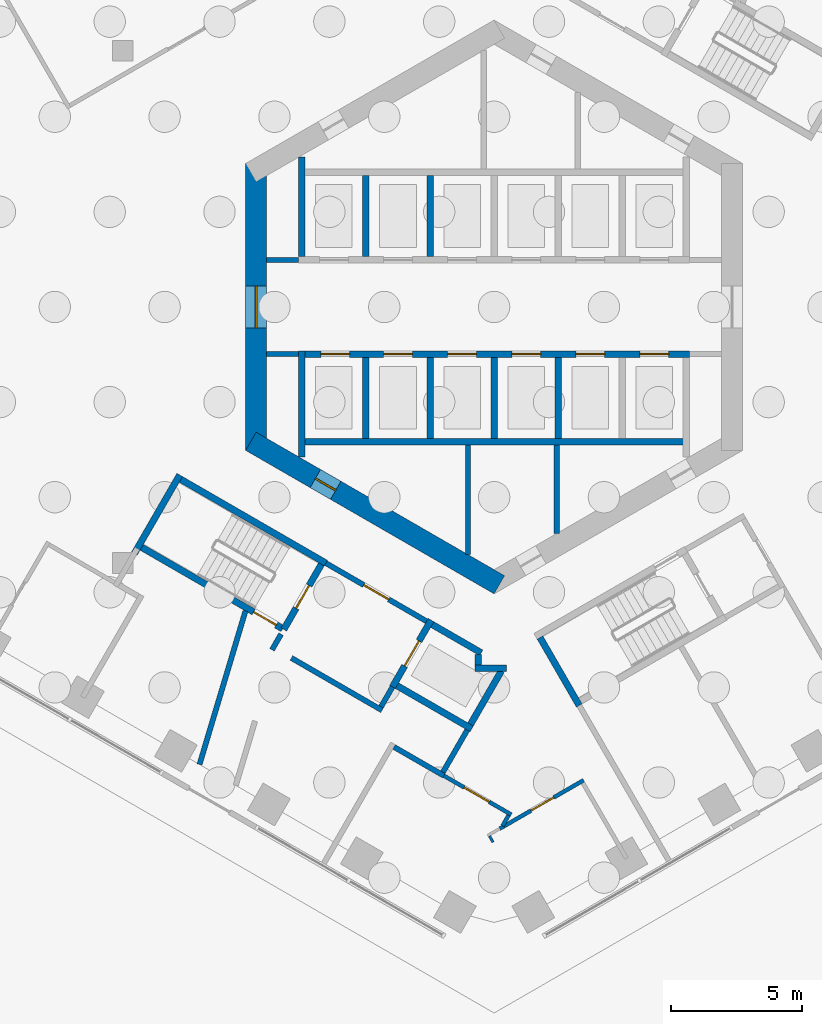
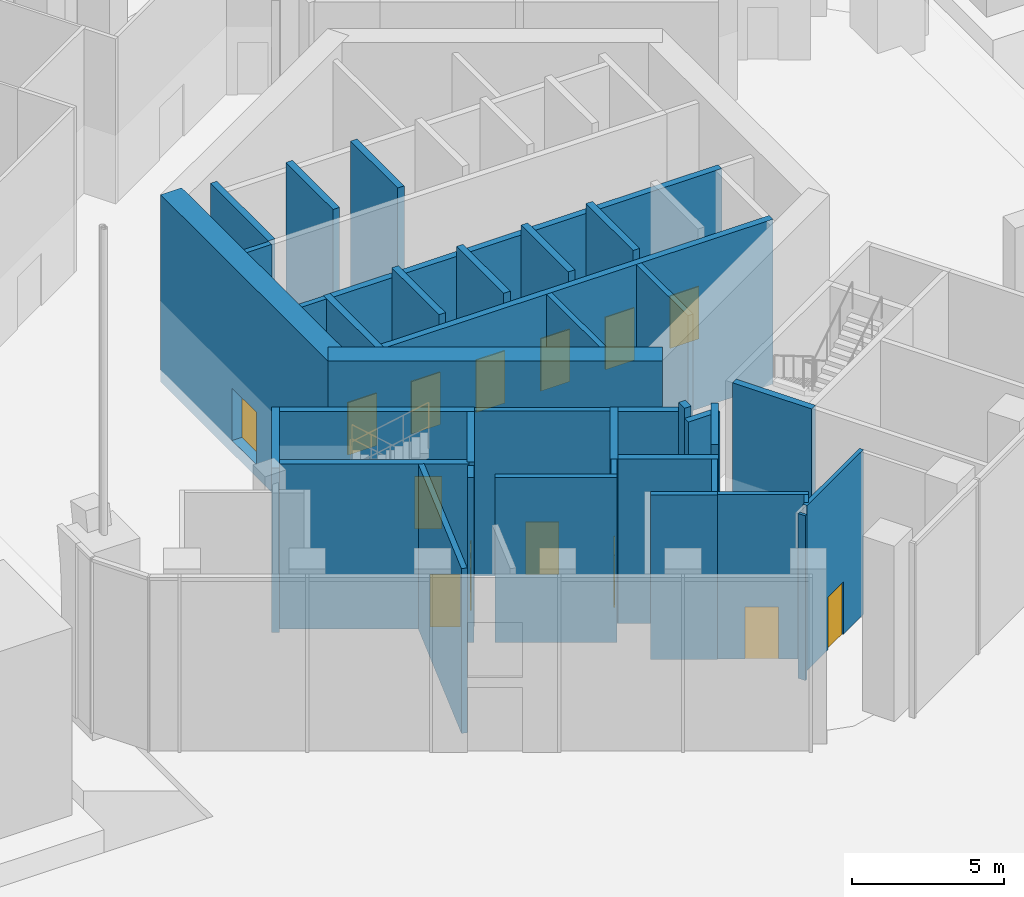
# One storey, part 9 of 18: 38 walls, 14 doors, 14 openings.
"""IFC4 building model written with IfcOpenShell, lengths in metres."""

from ifc_helpers import new_model, si_unit, direction, frame, frame_2d, origin, place, context, subcontext, project, spatial, rectangle, extrude, material, layer, layer_set, type_object, element, fill, save


model = new_model("IFC4")

# Units and contexts
model_context = context("Model", 3, precision=1e-05, world=origin(), true_north=direction((0.0, 1.0)))
body_context = subcontext(model_context, "Body", "Model", "MODEL_VIEW")
ifc_project = project(units=[si_unit("LENGTHUNIT", "METRE"), si_unit("AREAUNIT", "SQUARE_METRE"), si_unit("VOLUMEUNIT", "CUBIC_METRE"), si_unit("PLANEANGLEUNIT", "RADIAN"), si_unit("MASSUNIT", "GRAM", prefix="KILO")], contexts=[model_context])

# Site, building, storey
site_placement = place(None, origin())
site = spatial("IfcSite", under=ifc_project, at=site_placement, CompositionType="ELEMENT")
building_placement = place(site_placement, origin())
building = spatial("IfcBuilding", under=site, at=building_placement, Name="Ayvan Gate Tower", CompositionType="ELEMENT")
storey_placement = place(building_placement, origin())
storey = spatial("IfcBuildingStorey", under=building, at=storey_placement, Name="L00", CompositionType="ELEMENT", Elevation=0.0)

# Wall, opening, door
ifc_material_1 = material(Name="Concrete C70/85", Category="concrete")
ifc_layer_1 = layer(ifc_material_1, 0.800048828125)
ifc_layer_set_1 = layer_set([ifc_layer_1], Name="Concrete C70/85")
wall_type_1 = type_object("IfcWallType", Name="Core wall 800 C70/85", PredefinedType="SHEAR", material=ifc_layer_set_1)
wall_1_placement = place(storey_placement, frame((-9.10009765625, 5.48486328125, -0.5), z_axis=(0.0, 0.0, 1.0), x_axis=(0.0, -1.0, 0.0)))
wall_1 = element("IfcWall", 1, at=wall_1_placement, inside=storey, type_object=wall_type_1, Name="CORE-L00-3", PredefinedType="SHEAR", context=body_context, shape_type="SweptSolid", body=[
    extrude(rectangle(XDim=10.9697265625, YDim=0.800048828125, at=frame_2d((5.48486328125, 0.0))), origin(), (0.0, 0.0, 1.0), 7.5),
])
opening_1_placement = place(wall_1_placement, frame((4.684814453125, 0.0, 0.5)))
opening_1 = element("IfcOpeningElement", 2, at=opening_1_placement, cuts=wall_1, Name="Opening L00-D93", PredefinedType="OPENING", context=body_context, shape_type="SweptSolid", body=[
    extrude(rectangle(XDim=1.60009765625, YDim=2.10009765625, at=frame_2d((0.800048828125, 1.050048828125))), frame((0.0, 0.409912109375, 0.0), z_axis=(0.0, -1.0, 0.0), x_axis=(1.0, 0.0, 0.0)), (0.0, 0.0, 1.0), 0.820068359375),
])
ifc_material_2 = material(Name="Timber door leaf", Category="wood")
door_type_1 = type_object("IfcDoorType", Name="DT-1600", OperationType="NOTDEFINED", PredefinedType="DOOR", material=ifc_material_2)
door_1_placement = place(opening_1_placement, origin())
door_1 = element("IfcDoor", 3, at=door_1_placement, inside=storey, type_object=door_type_1, Name="CD-L00-93", OperationType="SINGLE_SWING_LEFT", OverallHeight=2.10009765625, OverallWidth=1.60009765625, PredefinedType="DOOR", context=body_context, shape_type="SweptSolid", body=[
    extrude(rectangle(XDim=1.60009765625, YDim=2.10009765625, at=frame_2d((0.800048828125, 1.050048828125))), frame((0.0, 0.02490234375, 0.0), z_axis=(0.0, -1.0, 0.0), x_axis=(1.0, 0.0, 0.0)), (0.0, 0.0, 1.0), 0.050048828125),
])
fill(opening_1, door_1)

wall_2_placement = place(storey_placement, frame((-9.300048828125, -5.138427734375, -0.5), z_axis=(0.0, 0.0, 1.0), x_axis=(0.866023993627, -0.500002442456, 0.0)))
wall_2 = element("IfcWall", 4, at=wall_2_placement, inside=storey, type_object=wall_type_1, Name="CORE-L00-4", PredefinedType="SHEAR", context=body_context, shape_type="SweptSolid", body=[
    extrude(rectangle(XDim=10.9697265625, YDim=0.800048828125, at=frame_2d((5.48486328125, 0.0))), origin(), (0.0, 0.0, 1.0), 7.5),
])
opening_2_placement = place(wall_2_placement, frame((2.845458984375, 0.0, 0.5)))
opening_2 = element("IfcOpeningElement", 5, at=opening_2_placement, cuts=wall_2, Name="Opening L00-D89", PredefinedType="OPENING", context=body_context, shape_type="SweptSolid", body=[
    extrude(rectangle(XDim=0.89990234375, YDim=2.10009765625, at=frame_2d((0.449951171875, 1.050048828125))), frame((0.0, 0.409912109375, 0.0), z_axis=(0.0, -1.0, 0.0), x_axis=(1.0, 0.0, 0.0)), (0.0, 0.0, 1.0), 0.820068359375),
])
door_type_2 = type_object("IfcDoorType", Name="DT-900", OperationType="NOTDEFINED", PredefinedType="DOOR", material=ifc_material_2)
door_2_placement = place(opening_2_placement, origin())
door_2 = element("IfcDoor", 6, at=door_2_placement, inside=storey, type_object=door_type_2, Name="CD-L00-89", OperationType="SINGLE_SWING_LEFT", OverallHeight=2.10009765625, OverallWidth=0.89990234375, PredefinedType="DOOR", context=body_context, shape_type="SweptSolid", body=[
    extrude(rectangle(XDim=0.89990234375, YDim=2.10009765625, at=frame_2d((0.449951171875, 1.050048828125))), frame((0.0, 0.02490234375, 0.0), z_axis=(0.0, -1.0, 0.0), x_axis=(1.0, 0.0, 0.0)), (0.0, 0.0, 1.0), 0.050048828125),
])
fill(opening_2, door_2)

ifc_material_3 = material(Name="Plasterboard on steel stud", Category="steel")
ifc_layer_2 = layer(ifc_material_3, 0.14990234375)
ifc_layer_set_2 = layer_set([ifc_layer_2], Name="Plasterboard on steel stud")
wall_type_2 = type_object("IfcWallType", Name="WT-CORR-150", PredefinedType="PARTITIONING", material=ifc_layer_set_2)
wall_3_placement = place(storey_placement, frame((-1.92041015625, -17.926025390625, 0.0), z_axis=(0.0, 0.0, 1.0), x_axis=(0.866017493347, -0.500013701029, 0.0)))
wall_3 = element("IfcWall", 7, at=wall_3_placement, inside=storey, type_object=wall_type_2, Name="IW-L00-038", PredefinedType="PARTITIONING", context=body_context, shape_type="SweptSolid", body=[
    extrude(rectangle(XDim=2.97509765625, YDim=0.14990234375, at=frame_2d((1.487548828125, 0.0))), origin(), (0.0, 0.0, 1.0), 6.60009765625),
])
opening_3_placement = place(wall_3_placement, frame((0.900146484375, 0.0, 0.0)))
opening_3 = element("IfcOpeningElement", 8, at=opening_3_placement, cuts=wall_3, Name="Opening L00-D32", PredefinedType="OPENING", context=body_context, shape_type="SweptSolid", body=[
    extrude(rectangle(XDim=1.10009765625, YDim=2.10009765625, at=frame_2d((0.550048828125, 1.050048828125))), frame((0.0, 0.0849609375, 0.0), z_axis=(0.0, -1.0, 0.0), x_axis=(1.0, 0.0, 0.0)), (0.0, 0.0, 1.0), 0.169921875),
])
door_type_3 = type_object("IfcDoorType", Name="DT-1100", OperationType="NOTDEFINED", PredefinedType="DOOR", material=ifc_material_2)
door_3_placement = place(opening_3_placement, origin())
door_3 = element("IfcDoor", 9, at=door_3_placement, inside=storey, type_object=door_type_3, Name="ID-L00-032", OperationType="SINGLE_SWING_RIGHT", OverallHeight=2.10009765625, OverallWidth=1.10009765625, PredefinedType="DOOR", context=body_context, shape_type="SweptSolid", body=[
    extrude(rectangle(XDim=1.10009765625, YDim=2.10009765625, at=frame_2d((0.550048828125, 1.050048828125))), frame((0.0, 0.02490234375, 0.0), z_axis=(0.0, -1.0, 0.0), x_axis=(1.0, 0.0, 0.0)), (0.0, 0.0, 1.0), 0.050048828125),
])
fill(opening_3, door_3)

wall_4_placement = place(storey_placement, frame((0.21728515625, -19.948486328125, 0.0), z_axis=(0.0, 0.0, 1.0), x_axis=(0.866033964044, 0.499985172903, 0.0)))
wall_4 = element("IfcWall", 10, at=wall_4_placement, inside=storey, type_object=wall_type_2, Name="IW-L00-053", PredefinedType="PARTITIONING", context=body_context, shape_type="SweptSolid", body=[
    extrude(rectangle(XDim=3.7001953125, YDim=0.14990234375, at=frame_2d((1.85009765625, 0.0))), origin(), (0.0, 0.0, 1.0), 6.60009765625),
])
opening_4_placement = place(wall_4_placement, frame((1.38037109375, 0.0, 0.0)))
opening_4 = element("IfcOpeningElement", 11, at=opening_4_placement, cuts=wall_4, Name="Opening L00-D30", PredefinedType="OPENING", context=body_context, shape_type="SweptSolid", body=[
    extrude(rectangle(XDim=1.0, YDim=2.10009765625, at=frame_2d((0.5, 1.050048828125))), frame((0.0, 0.0849609375, 0.0), z_axis=(0.0, -1.0, 0.0), x_axis=(1.0, 0.0, 0.0)), (0.0, 0.0, 1.0), 0.169921875),
])
door_type_4 = type_object("IfcDoorType", Name="DT-1000", OperationType="NOTDEFINED", PredefinedType="DOOR", material=ifc_material_2)
door_4_placement = place(opening_4_placement, origin())
door_4 = element("IfcDoor", 12, at=door_4_placement, inside=storey, type_object=door_type_4, Name="ID-L00-030", OperationType="SINGLE_SWING_RIGHT", OverallHeight=2.10009765625, OverallWidth=1.0, PredefinedType="DOOR", context=body_context, shape_type="SweptSolid", body=[
    extrude(rectangle(XDim=1.0, YDim=2.10009765625, at=frame_2d((0.5, 1.050048828125))), frame((0.0, 0.02490234375, 0.0), z_axis=(0.0, -1.0, 0.0), x_axis=(1.0, 0.0, 0.0)), (0.0, 0.0, 1.0), 0.050048828125),
])
fill(opening_4, door_4)

# Walls
wall_5_placement = place(storey_placement, frame((0.5537109375, -19.44091796875, 0.0), z_axis=(0.0, 0.0, 1.0), x_axis=(-0.499842898591, -0.866116087328, 0.0)))
element("IfcWall", 13, at=wall_5_placement, inside=storey, type_object=wall_type_2, Name="IW-L00-055", PredefinedType="PARTITIONING", context=body_context, shape_type="SweptSolid", body=[
    extrude(rectangle(XDim=0.468017578125, YDim=0.14990234375, at=frame_2d((0.23388671875, 0.0))), origin(), (0.0, 0.0, 1.0), 6.60009765625),
])
ifc_layer_3 = layer(ifc_material_3, 0.10009765625)
ifc_layer_set_3 = layer_set([ifc_layer_3], Name="Plasterboard on steel stud")
wall_type_3 = type_object("IfcWallType", Name="WT-PART-100", PredefinedType="PARTITIONING", material=ifc_layer_set_3)
wall_6_placement = place(storey_placement, frame((-0.039306640625, -20.468017578125, 0.0), z_axis=(0.0, 0.0, 1.0), x_axis=(-0.500007885066, 0.866020851292, 0.0)))
element("IfcWall", 14, at=wall_6_placement, inside=storey, type_object=wall_type_3, Name="IW-L00-048", PredefinedType="PARTITIONING", context=body_context, shape_type="SweptSolid", body=[
    extrude(rectangle(XDim=0.271484375, YDim=0.10009765625, at=frame_2d((0.1357421875, 0.0))), origin(), (0.0, 0.0, 1.0), 6.60009765625),
])
ifc_layer_4 = layer(ifc_material_3, 0.199951171875)
ifc_layer_set_4 = layer_set([ifc_layer_4], Name="Plasterboard on steel stud")
wall_type_4 = type_object("IfcWallType", Name="WT-PLUMB-200", PredefinedType="PLUMBINGWALL", material=ifc_layer_set_4)
wall_7_placement = place(storey_placement, frame((-9.507568359375, -11.625244140625, 0.0), z_axis=(0.0, 0.0, 1.0), x_axis=(-0.286880018175, -0.957966520904, 0.0)))
element("IfcWall", 15, at=wall_7_placement, inside=storey, type_object=wall_type_4, Name="IW-L00-011", PredefinedType="PLUMBINGWALL", context=body_context, shape_type="SweptSolid", body=[
    extrude(rectangle(XDim=6.128173828125, YDim=0.199951171875, at=frame_2d((3.06396484375, 0.0))), origin(), (0.0, 0.0, 1.0), 6.60009765625),
])
wall_8_placement = place(storey_placement, frame((-4.285888671875, -15.42333984375, 0.0), z_axis=(0.0, 0.0, 1.0), x_axis=(-0.866026010844, 0.49999894854, 0.0)))
element("IfcWall", 16, at=wall_8_placement, inside=storey, type_object=wall_type_4, Name="IW-L00-031", PredefinedType="PLUMBINGWALL", context=body_context, shape_type="SweptSolid", body=[
    extrude(rectangle(XDim=4.0, YDim=0.199951171875, at=frame_2d((2.0, 0.0))), origin(), (0.0, 0.0, 1.0), 6.60009765625),
])
wall_9_placement = place(storey_placement, frame((-3.885009765625, -14.52880859375, 0.0), z_axis=(0.0, 0.0, 1.0), x_axis=(-0.499859285417, -0.866106630146, 0.0)))
element("IfcWall", 17, at=wall_9_placement, inside=storey, type_object=wall_type_4, Name="IW-L00-033", PredefinedType="PLUMBINGWALL", context=body_context, shape_type="SweptSolid", body=[
    extrude(rectangle(XDim=0.875244140625, YDim=0.199951171875, at=frame_2d((0.4375, 0.0))), origin(), (0.0, 0.0, 1.0), 6.60009765625),
])
wall_10_placement = place(storey_placement, frame((-1.92041015625, -17.926025390625, 0.0), z_axis=(0.0, 0.0, 1.0), x_axis=(-0.86605622881, 0.499946605688, 0.0)))
element("IfcWall", 18, at=wall_10_placement, inside=storey, type_object=wall_type_4, Name="IW-L00-039", PredefinedType="PLUMBINGWALL", context=body_context, shape_type="SweptSolid", body=[
    extrude(rectangle(XDim=2.199951171875, YDim=0.199951171875, at=frame_2d((1.10009765625, 0.0))), origin(), (0.0, 0.0, 1.0), 6.60009765625),
])
wall_11_placement = place(storey_placement, frame((-1.027099609375, -16.178955078125, 0.0), z_axis=(0.0, 0.0, 1.0), x_axis=(-0.499923224849, -0.866069725401, 0.0)))
element("IfcWall", 19, at=wall_11_placement, inside=storey, type_object=wall_type_4, Name="IW-L00-042", PredefinedType="PLUMBINGWALL", context=body_context, shape_type="SweptSolid", body=[
    extrude(rectangle(XDim=1.859619140625, YDim=0.199951171875, at=frame_2d((0.9296875, 0.0))), origin(), (0.0, 0.0, 1.0), 6.60009765625),
])
ifc_layer_5 = layer(ifc_material_3, 0.199951171875)
ifc_layer_set_5 = layer_set([ifc_layer_5], Name="Plasterboard on steel stud")
wall_type_5 = type_object("IfcWallType", Name="WT-RATED-200", PredefinedType="PARTITIONING", material=ifc_layer_set_5)
wall_12_placement = place(storey_placement, frame((-8.699951171875, 1.800048828125, 0.0), z_axis=(0.0, 0.0, 1.0), x_axis=(1.0, 0.0, 0.0)))
element("IfcWall", 20, at=wall_12_placement, inside=storey, type_object=wall_type_5, Name="IW-L00-014", PredefinedType="PARTITIONING", context=body_context, shape_type="SweptSolid", body=[
    extrude(rectangle(XDim=1.22509765625, YDim=0.199951171875, at=frame_2d((0.612548828125, 0.0))), origin(), (0.0, 0.0, 1.0), 6.60009765625),
])
wall_13_placement = place(storey_placement, frame((-8.492919921875, -13.110107421875, 0.0), z_axis=(0.0, 0.0, 1.0), x_axis=(0.499947218231, 0.866055875208, 0.0)))
element("IfcWall", 21, at=wall_13_placement, inside=storey, type_object=wall_type_5, Name="IW-L00-015", PredefinedType="PARTITIONING", context=body_context, shape_type="SweptSolid", body=[
    extrude(rectangle(XDim=0.689453125, YDim=0.199951171875, at=frame_2d((0.3447265625, 0.0))), origin(), (0.0, 0.0, 1.0), 6.60009765625),
])
wall_14_placement = place(storey_placement, frame((-7.474853515625, -1.800048828125, 0.0), z_axis=(0.0, 0.0, 1.0), x_axis=(-1.0, 0.0, 0.0)))
element("IfcWall", 22, at=wall_14_placement, inside=storey, type_object=wall_type_5, Name="IW-L00-021", PredefinedType="PARTITIONING", context=body_context, shape_type="SweptSolid", body=[
    extrude(rectangle(XDim=1.22509765625, YDim=0.199951171875, at=frame_2d((0.612548828125, 0.0))), origin(), (0.0, 0.0, 1.0), 6.60009765625),
])

# Wall, opening, door
wall_15_placement = place(storey_placement, frame((-6.4345703125, -9.794921875, 0.0), z_axis=(0.0, 0.0, 1.0), x_axis=(0.866012907634, -0.500021643343, 0.0)))
wall_15 = element("IfcWall", 23, at=wall_15_placement, inside=storey, type_object=wall_type_5, Name="IW-L00-025", PredefinedType="PARTITIONING", context=body_context, shape_type="SweptSolid", body=[
    extrude(rectangle(XDim=4.449951171875, YDim=0.199951171875, at=frame_2d((2.22509765625, 0.0))), origin(), (0.0, 0.0, 1.0), 6.60009765625),
])
opening_5_placement = place(wall_15_placement, frame((1.675048828125, 0.0, 0.0)))
opening_5 = element("IfcOpeningElement", 24, at=opening_5_placement, cuts=wall_15, Name="Opening L00-D19", PredefinedType="OPENING", context=body_context, shape_type="SweptSolid", body=[
    extrude(rectangle(XDim=1.10009765625, YDim=2.10009765625, at=frame_2d((0.550048828125, 1.050048828125))), frame((0.0, 0.10986328125, 0.0), z_axis=(0.0, -1.0, 0.0), x_axis=(1.0, 0.0, 0.0)), (0.0, 0.0, 1.0), 0.219970703125),
])
door_5_placement = place(opening_5_placement, origin())
door_5 = element("IfcDoor", 25, at=door_5_placement, inside=storey, type_object=door_type_3, Name="ID-L00-019", OperationType="SINGLE_SWING_LEFT", OverallHeight=2.10009765625, OverallWidth=1.10009765625, PredefinedType="DOOR", context=body_context, shape_type="SweptSolid", body=[
    extrude(rectangle(XDim=1.10009765625, YDim=2.10009765625, at=frame_2d((0.550048828125, 1.050048828125))), frame((0.0, 0.02490234375, 0.0), z_axis=(0.0, -1.0, 0.0), x_axis=(1.0, 0.0, 0.0)), (0.0, 0.0, 1.0), 0.050048828125),
])
fill(opening_5, door_5)

# Walls
wall_16_placement = place(storey_placement, frame((-1.0, -5.27490234375, 0.0), z_axis=(0.0, 0.0, 1.0), x_axis=(0.0, -1.0, 0.0)))
element("IfcWall", 26, at=wall_16_placement, inside=storey, type_object=wall_type_5, Name="IW-L00-040", PredefinedType="PARTITIONING", context=body_context, shape_type="SweptSolid", body=[
    extrude(rectangle(XDim=4.193603515625, YDim=0.199951171875, at=frame_2d((2.0966796875, 0.0))), origin(), (0.0, 0.0, 1.0), 6.60009765625),
])
wall_17_placement = place(storey_placement, frame((2.39990234375, -5.27490234375, 0.0), z_axis=(0.0, 0.0, 1.0), x_axis=(0.0, -1.0, 0.0)))
element("IfcWall", 27, at=wall_17_placement, inside=storey, type_object=wall_type_5, Name="IW-L00-064", PredefinedType="PARTITIONING", context=body_context, shape_type="SweptSolid", body=[
    extrude(rectangle(XDim=3.385498046875, YDim=0.199951171875, at=frame_2d((1.69287109375, 0.0))), origin(), (0.0, 0.0, 1.0), 6.60009765625),
])
ifc_material_4 = material(Name="Concrete C50/60", Category="concrete")
ifc_layer_6 = layer(ifc_material_4, 0.25)
ifc_layer_set_6 = layer_set([ifc_layer_6], Name="Concrete C50/60")
wall_type_6 = type_object("IfcWallType", Name="WT-RC-250", PredefinedType="SHEAR", material=ifc_layer_set_6)
wall_18_placement = place(storey_placement, frame((-13.7548828125, -9.424072265625, 0.0), z_axis=(0.0, 0.0, 1.0), x_axis=(0.500005140434, 0.866022435933, 0.0)))
element("IfcWall", 28, at=wall_18_placement, inside=storey, type_object=wall_type_6, Name="IW-L00-005", PredefinedType="SHEAR", context=body_context, shape_type="SweptSolid", body=[
    extrude(rectangle(XDim=3.4638671875, YDim=0.25, at=frame_2d((1.73193359375, 0.0))), origin(), (0.0, 0.0, 1.0), 6.60009765625),
])
wall_19_placement = place(storey_placement, frame((-11.97705078125, -6.594970703125, 0.0), z_axis=(0.0, 0.0, 1.0), x_axis=(0.866025499775, -0.499999833739, 0.0)))
element("IfcWall", 29, at=wall_19_placement, inside=storey, type_object=wall_type_6, Name="IW-L00-007", PredefinedType="SHEAR", context=body_context, shape_type="SweptSolid", body=[
    extrude(rectangle(XDim=6.39990234375, YDim=0.25, at=frame_2d((3.199951171875, 0.0))), origin(), (0.0, 0.0, 1.0), 6.60009765625),
])

# Wall, opening, door
wall_20_placement = place(storey_placement, frame((-13.47705078125, -9.193115234375, 0.0), z_axis=(0.0, 0.0, 1.0), x_axis=(0.866026229868, -0.499998569178, 0.0)))
wall_20 = element("IfcWall", 30, at=wall_20_placement, inside=storey, type_object=wall_type_6, Name="IW-L00-012", PredefinedType="SHEAR", context=body_context, shape_type="SweptSolid", body=[
    extrude(rectangle(XDim=6.22509765625, YDim=0.25, at=frame_2d((3.112548828125, 0.0))), origin(), (0.0, 0.0, 1.0), 6.60009765625),
])
opening_6_placement = place(wall_20_placement, frame((4.9404296875, 0.0, 0.0)))
opening_6 = element("IfcOpeningElement", 31, at=opening_6_placement, cuts=wall_20, Name="Opening L00-D17", PredefinedType="OPENING", context=body_context, shape_type="SweptSolid", body=[
    extrude(rectangle(XDim=1.0, YDim=2.10009765625, at=frame_2d((0.5, 1.050048828125))), frame((0.0, 0.135009765625, 0.0), z_axis=(0.0, -1.0, 0.0), x_axis=(1.0, 0.0, 0.0)), (0.0, 0.0, 1.0), 0.27001953125),
])
door_6_placement = place(opening_6_placement, origin())
door_6 = element("IfcDoor", 32, at=door_6_placement, inside=storey, type_object=door_type_4, Name="ID-L00-017", OperationType="SINGLE_SWING_LEFT", OverallHeight=2.10009765625, OverallWidth=1.0, PredefinedType="DOOR", context=body_context, shape_type="SweptSolid", body=[
    extrude(rectangle(XDim=1.0, YDim=2.10009765625, at=frame_2d((0.5, 1.050048828125))), frame((0.0, 0.02490234375, 0.0), z_axis=(0.0, -1.0, 0.0), x_axis=(1.0, 0.0, 0.0)), (0.0, 0.0, 1.0), 0.050048828125),
])
fill(opening_6, door_6)

# Walls
wall_21_placement = place(storey_placement, frame((-7.35009765625, -5.730224609375, 0.0), z_axis=(0.0, 0.0, 1.0), x_axis=(0.0, 1.0, 0.0)))
element("IfcWall", 33, at=wall_21_placement, inside=storey, type_object=wall_type_6, Name="IW-L00-018", PredefinedType="SHEAR", context=body_context, shape_type="SweptSolid", body=[
    extrude(rectangle(XDim=4.05517578125, YDim=0.25, at=frame_2d((2.027587890625, 0.0))), origin(), (0.0, 0.0, 1.0), 6.60009765625),
])
wall_22_placement = place(storey_placement, frame((-7.35009765625, 1.925048828125, 0.0), z_axis=(0.0, 0.0, 1.0), x_axis=(0.0, 1.0, 0.0)))
element("IfcWall", 34, at=wall_22_placement, inside=storey, type_object=wall_type_6, Name="IW-L00-019", PredefinedType="SHEAR", context=body_context, shape_type="SweptSolid", body=[
    extrude(rectangle(XDim=3.80517578125, YDim=0.25, at=frame_2d((1.902587890625, 0.0))), origin(), (0.0, 0.0, 1.0), 6.60009765625),
])

# Wall, opening, door
wall_23_placement = place(storey_placement, frame((-6.605224609375, -9.8408203125, 0.0), z_axis=(0.0, 0.0, 1.0), x_axis=(-0.500011588718, -0.866018712932, 0.0)))
wall_23 = element("IfcWall", 35, at=wall_23_placement, inside=storey, type_object=wall_type_6, Name="IW-L00-024", PredefinedType="SHEAR", context=body_context, shape_type="SweptSolid", body=[
    extrude(rectangle(XDim=2.875, YDim=0.25, at=frame_2d((1.4375, 0.0))), origin(), (0.0, 0.0, 1.0), 6.60009765625),
])
opening_7_placement = place(wall_23_placement, frame((0.9375, 0.0, 0.0)))
opening_7 = element("IfcOpeningElement", 36, at=opening_7_placement, cuts=wall_23, Name="Opening L00-D18", PredefinedType="OPENING", context=body_context, shape_type="SweptSolid", body=[
    extrude(rectangle(XDim=1.0, YDim=2.10009765625, at=frame_2d((0.5, 1.050048828125))), frame((0.0, 0.135009765625, 0.0), z_axis=(0.0, -1.0, 0.0), x_axis=(1.0, 0.0, 0.0)), (0.0, 0.0, 1.0), 0.27001953125),
])
door_7_placement = place(opening_7_placement, origin())
door_7 = element("IfcDoor", 37, at=door_7_placement, inside=storey, type_object=door_type_4, Name="ID-L00-018", OperationType="SINGLE_SWING_RIGHT", OverallHeight=2.10009765625, OverallWidth=1.0, PredefinedType="DOOR", context=body_context, shape_type="SweptSolid", body=[
    extrude(rectangle(XDim=1.0, YDim=2.10009765625, at=frame_2d((0.5, 1.050048828125))), frame((0.0, 0.02490234375, 0.0), z_axis=(0.0, -1.0, 0.0), x_axis=(1.0, 0.0, 0.0)), (0.0, 0.0, 1.0), 0.050048828125),
])
fill(opening_7, door_7)

# Walls
wall_24_placement = place(storey_placement, frame((-7.22509765625, -5.14990234375, 0.0), z_axis=(0.0, 0.0, 1.0), x_axis=(1.0, 0.0, 0.0)))
element("IfcWall", 38, at=wall_24_placement, inside=storey, type_object=wall_type_6, Name="IW-L00-027", PredefinedType="SHEAR", context=body_context, shape_type="SweptSolid", body=[
    extrude(rectangle(XDim=14.7001953125, YDim=0.25, at=frame_2d((7.35009765625, 0.0))), origin(), (0.0, 0.0, 1.0), 6.60009765625),
])
for number, where, z_axis, x_axis, name in (
    (39, (-4.89990234375, -1.925048828125, 0.0), (0.0, 0.0, 1.0), (0.0, -1.0, 0.0), "IW-L00-028"),
    (40, (-4.89990234375, 5.02490234375, 0.0), (0.0, 0.0, 1.0), (0.0, -1.0, 0.0), "IW-L00-029"),
):
    element("IfcWall", number, at=place(storey_placement, frame(where, z_axis=z_axis, x_axis=x_axis)), inside=storey, type_object=wall_type_6, Name=name, PredefinedType="SHEAR", context=body_context, shape_type="SweptSolid", body=[
        extrude(rectangle(XDim=3.099853515625, YDim=0.25, at=frame_2d((1.5498046875, 0.0))), origin(), (0.0, 0.0, 1.0), 7.0),
    ])

# Wall, openings, doors
wall_25_placement = place(storey_placement, frame((-7.22509765625, -1.800048828125, 0.0), z_axis=(0.0, 0.0, 1.0), x_axis=(1.0, 0.0, 0.0)))
wall_25 = element("IfcWall", 41, at=wall_25_placement, inside=storey, type_object=wall_type_6, Name="IW-L00-030", PredefinedType="SHEAR", context=body_context, shape_type="SweptSolid", body=[
    extrude(rectangle(XDim=14.7001953125, YDim=0.25, at=frame_2d((7.35009765625, 0.0))), origin(), (0.0, 0.0, 1.0), 6.60009765625),
])
opening_8_placement = place(wall_25_placement, frame((0.597412109375, 0.0, 0.0)))
opening_8 = element("IfcOpeningElement", 42, at=opening_8_placement, cuts=wall_25, Name="Opening L00-LD-LR1", PredefinedType="OPENING", context=body_context, shape_type="SweptSolid", body=[
    extrude(rectangle(XDim=1.10009765625, YDim=2.10009765625, at=frame_2d((0.550048828125, 1.050048828125))), frame((0.0, 0.135009765625, 0.0), z_axis=(0.0, -1.0, 0.0), x_axis=(1.0, 0.0, 0.0)), (0.0, 0.0, 1.0), 0.27001953125),
])
opening_9_placement = place(wall_25_placement, frame((3.0, 0.0, 0.0)))
opening_9 = element("IfcOpeningElement", 43, at=opening_9_placement, cuts=wall_25, Name="Opening L00-LD-LR2", PredefinedType="OPENING", context=body_context, shape_type="SweptSolid", body=[
    extrude(rectangle(XDim=1.10009765625, YDim=2.10009765625, at=frame_2d((0.550048828125, 1.050048828125))), frame((0.0, 0.135009765625, 0.0), z_axis=(0.0, -1.0, 0.0), x_axis=(1.0, 0.0, 0.0)), (0.0, 0.0, 1.0), 0.27001953125),
])
opening_10_placement = place(wall_25_placement, frame((5.4501953125, 0.0, 0.0)))
opening_10 = element("IfcOpeningElement", 44, at=opening_10_placement, cuts=wall_25, Name="Opening L00-LD-LR3", PredefinedType="OPENING", context=body_context, shape_type="SweptSolid", body=[
    extrude(rectangle(XDim=1.10009765625, YDim=2.10009765625, at=frame_2d((0.550048828125, 1.050048828125))), frame((0.0, 0.135009765625, 0.0), z_axis=(0.0, -1.0, 0.0), x_axis=(1.0, 0.0, 0.0)), (0.0, 0.0, 1.0), 0.27001953125),
])
opening_11_placement = place(wall_25_placement, frame((7.900146484375, 0.0, 0.0)))
opening_11 = element("IfcOpeningElement", 45, at=opening_11_placement, cuts=wall_25, Name="Opening L00-LD-LR4", PredefinedType="OPENING", context=body_context, shape_type="SweptSolid", body=[
    extrude(rectangle(XDim=1.10009765625, YDim=2.10009765625, at=frame_2d((0.550048828125, 1.050048828125))), frame((0.0, 0.135009765625, 0.0), z_axis=(0.0, -1.0, 0.0), x_axis=(1.0, 0.0, 0.0)), (0.0, 0.0, 1.0), 0.27001953125),
])
opening_12_placement = place(wall_25_placement, frame((10.35009765625, 0.0, 0.0)))
opening_12 = element("IfcOpeningElement", 46, at=opening_12_placement, cuts=wall_25, Name="Opening L00-LD-SV", PredefinedType="OPENING", context=body_context, shape_type="SweptSolid", body=[
    extrude(rectangle(XDim=1.10009765625, YDim=2.10009765625, at=frame_2d((0.550048828125, 1.050048828125))), frame((0.0, 0.135009765625, 0.0), z_axis=(0.0, -1.0, 0.0), x_axis=(1.0, 0.0, 0.0)), (0.0, 0.0, 1.0), 0.27001953125),
])
opening_13_placement = place(wall_25_placement, frame((12.800048828125, 0.0, 0.0)))
opening_13 = element("IfcOpeningElement", 47, at=opening_13_placement, cuts=wall_25, Name="Opening L00-LD-OB", PredefinedType="OPENING", context=body_context, shape_type="SweptSolid", body=[
    extrude(rectangle(XDim=1.10009765625, YDim=2.10009765625, at=frame_2d((0.550048828125, 1.050048828125))), frame((0.0, 0.135009765625, 0.0), z_axis=(0.0, -1.0, 0.0), x_axis=(1.0, 0.0, 0.0)), (0.0, 0.0, 1.0), 0.27001953125),
])
ifc_material_5 = material(Name="Stainless steel landing door", Category="steel")
door_type_5 = type_object("IfcDoorType", Name="DT-LANDING-1100", OperationType="SLIDING_TO_LEFT", PredefinedType="DOOR", material=ifc_material_5)
door_8_placement = place(opening_8_placement, origin())
door_8 = element("IfcDoor", 48, at=door_8_placement, inside=storey, type_object=door_type_5, Name="ID-L00-007", OperationType="SLIDING_TO_LEFT", OverallHeight=2.10009765625, OverallWidth=1.10009765625, PredefinedType="DOOR", context=body_context, shape_type="SweptSolid", body=[
    extrude(rectangle(XDim=1.10009765625, YDim=2.10009765625, at=frame_2d((0.550048828125, 1.050048828125))), frame((0.0, 0.02490234375, 0.0), z_axis=(0.0, -1.0, 0.0), x_axis=(1.0, 0.0, 0.0)), (0.0, 0.0, 1.0), 0.050048828125),
])
fill(opening_8, door_8)
door_9_placement = place(opening_9_placement, origin())
door_9 = element("IfcDoor", 49, at=door_9_placement, inside=storey, type_object=door_type_5, Name="ID-L00-008", OperationType="SLIDING_TO_LEFT", OverallHeight=2.10009765625, OverallWidth=1.10009765625, PredefinedType="DOOR", context=body_context, shape_type="SweptSolid", body=[
    extrude(rectangle(XDim=1.10009765625, YDim=2.10009765625, at=frame_2d((0.550048828125, 1.050048828125))), frame((0.0, 0.02490234375, 0.0), z_axis=(0.0, -1.0, 0.0), x_axis=(1.0, 0.0, 0.0)), (0.0, 0.0, 1.0), 0.050048828125),
])
fill(opening_9, door_9)
door_10_placement = place(opening_10_placement, origin())
door_10 = element("IfcDoor", 50, at=door_10_placement, inside=storey, type_object=door_type_5, Name="ID-L00-009", OperationType="SLIDING_TO_LEFT", OverallHeight=2.10009765625, OverallWidth=1.10009765625, PredefinedType="DOOR", context=body_context, shape_type="SweptSolid", body=[
    extrude(rectangle(XDim=1.10009765625, YDim=2.10009765625, at=frame_2d((0.550048828125, 1.050048828125))), frame((0.0, 0.02490234375, 0.0), z_axis=(0.0, -1.0, 0.0), x_axis=(1.0, 0.0, 0.0)), (0.0, 0.0, 1.0), 0.050048828125),
])
fill(opening_10, door_10)
door_11_placement = place(opening_11_placement, origin())
door_11 = element("IfcDoor", 51, at=door_11_placement, inside=storey, type_object=door_type_5, Name="ID-L00-010", OperationType="SLIDING_TO_LEFT", OverallHeight=2.10009765625, OverallWidth=1.10009765625, PredefinedType="DOOR", context=body_context, shape_type="SweptSolid", body=[
    extrude(rectangle(XDim=1.10009765625, YDim=2.10009765625, at=frame_2d((0.550048828125, 1.050048828125))), frame((0.0, 0.02490234375, 0.0), z_axis=(0.0, -1.0, 0.0), x_axis=(1.0, 0.0, 0.0)), (0.0, 0.0, 1.0), 0.050048828125),
])
fill(opening_11, door_11)
door_12_placement = place(opening_12_placement, origin())
door_12 = element("IfcDoor", 52, at=door_12_placement, inside=storey, type_object=door_type_5, Name="ID-L00-011", OperationType="SLIDING_TO_LEFT", OverallHeight=2.10009765625, OverallWidth=1.10009765625, PredefinedType="DOOR", context=body_context, shape_type="SweptSolid", body=[
    extrude(rectangle(XDim=1.10009765625, YDim=2.10009765625, at=frame_2d((0.550048828125, 1.050048828125))), frame((0.0, 0.02490234375, 0.0), z_axis=(0.0, -1.0, 0.0), x_axis=(1.0, 0.0, 0.0)), (0.0, 0.0, 1.0), 0.050048828125),
])
fill(opening_12, door_12)
door_13_placement = place(opening_13_placement, origin())
door_13 = element("IfcDoor", 53, at=door_13_placement, inside=storey, type_object=door_type_5, Name="ID-L00-012", OperationType="SLIDING_TO_LEFT", OverallHeight=2.10009765625, OverallWidth=1.10009765625, PredefinedType="DOOR", context=body_context, shape_type="SweptSolid", body=[
    extrude(rectangle(XDim=1.10009765625, YDim=2.10009765625, at=frame_2d((0.550048828125, 1.050048828125))), frame((0.0, 0.02490234375, 0.0), z_axis=(0.0, -1.0, 0.0), x_axis=(1.0, 0.0, 0.0)), (0.0, 0.0, 1.0), 0.050048828125),
])
fill(opening_13, door_13)

# Wall, opening, door
wall_26_placement = place(storey_placement, frame((-2.409912109375, -11.97412109375, 0.0), z_axis=(0.0, 0.0, 1.0), x_axis=(-0.500001826776, -0.866024349092, 0.0)))
wall_26 = element("IfcWall", 54, at=wall_26_placement, inside=storey, type_object=wall_type_6, Name="IW-L00-034", PredefinedType="SHEAR", context=body_context, shape_type="SweptSolid", body=[
    extrude(rectangle(XDim=2.9501953125, YDim=0.25, at=frame_2d((1.47509765625, 0.0))), origin(), (0.0, 0.0, 1.0), 6.60009765625),
])
opening_14_placement = place(wall_26_placement, frame((0.925048828125, 0.0, 0.0)))
opening_14 = element("IfcOpeningElement", 55, at=opening_14_placement, cuts=wall_26, Name="Opening L00-LD-FF2", PredefinedType="OPENING", context=body_context, shape_type="SweptSolid", body=[
    extrude(rectangle(XDim=1.10009765625, YDim=2.10009765625, at=frame_2d((0.550048828125, 1.050048828125))), frame((0.0, 0.135009765625, 0.0), z_axis=(0.0, -1.0, 0.0), x_axis=(1.0, 0.0, 0.0)), (0.0, 0.0, 1.0), 0.27001953125),
])
door_14_placement = place(opening_14_placement, origin())
door_14 = element("IfcDoor", 56, at=door_14_placement, inside=storey, type_object=door_type_5, Name="ID-L00-020", OperationType="SLIDING_TO_LEFT", OverallHeight=2.10009765625, OverallWidth=1.10009765625, PredefinedType="DOOR", context=body_context, shape_type="SweptSolid", body=[
    extrude(rectangle(XDim=1.10009765625, YDim=2.10009765625, at=frame_2d((0.550048828125, 1.050048828125))), frame((0.0, 0.02490234375, 0.0), z_axis=(0.0, -1.0, 0.0), x_axis=(1.0, 0.0, 0.0)), (0.0, 0.0, 1.0), 0.050048828125),
])
fill(opening_14, door_14)

# Walls
wall_27_placement = place(storey_placement, frame((-2.3642578125, -12.14501953125, 0.0), z_axis=(0.0, 0.0, 1.0), x_axis=(0.86603892542, -0.499976579108, 0.0)))
element("IfcWall", 57, at=wall_27_placement, inside=storey, type_object=wall_type_6, Name="IW-L00-035", PredefinedType="SHEAR", context=body_context, shape_type="SweptSolid", body=[
    extrude(rectangle(XDim=2.162109375, YDim=0.25, at=frame_2d((1.0810546875, 0.0))), origin(), (0.0, 0.0, 1.0), 6.60009765625),
])
for number, where, z_axis, x_axis, name in (
    (58, (-2.449951171875, -1.925048828125, 0.0), (0.0, 0.0, 1.0), (0.0, -1.0, 0.0), "IW-L00-036"),
    (59, (-2.449951171875, 5.02490234375, 0.0), (0.0, 0.0, 1.0), (0.0, -1.0, 0.0), "IW-L00-037"),
):
    element("IfcWall", number, at=place(storey_placement, frame(where, z_axis=z_axis, x_axis=x_axis)), inside=storey, type_object=wall_type_6, Name=name, PredefinedType="SHEAR", context=body_context, shape_type="SweptSolid", body=[
        extrude(rectangle(XDim=3.099853515625, YDim=0.25, at=frame_2d((1.5498046875, 0.0))), origin(), (0.0, 0.0, 1.0), 7.0),
    ])
wall_28_placement = place(storey_placement, frame((-0.8564453125, -16.13330078125, 0.0), z_axis=(0.0, 0.0, 1.0), x_axis=(-0.866021716278, 0.500006386895, 0.0)))
element("IfcWall", 60, at=wall_28_placement, inside=storey, type_object=wall_type_6, Name="IW-L00-041", PredefinedType="SHEAR", context=body_context, shape_type="SweptSolid", body=[
    extrude(rectangle(XDim=3.2998046875, YDim=0.25, at=frame_2d((1.64990234375, 0.0))), origin(), (0.0, 0.0, 1.0), 6.60009765625),
])
wall_29_placement = place(storey_placement, frame((-0.72509765625, -13.81005859375, 0.0), z_axis=(0.0, 0.0, 1.0), x_axis=(1.0, 0.0, 0.0)))
element("IfcWall", 61, at=wall_29_placement, inside=storey, type_object=wall_type_6, Name="IW-L00-043", PredefinedType="SHEAR", context=body_context, shape_type="SweptSolid", body=[
    extrude(rectangle(XDim=1.190673828125, YDim=0.25, at=frame_2d((0.59521484375, 0.0))), origin(), (0.0, 0.0, 1.0), 6.60009765625),
])
wall_30_placement = place(storey_placement, frame((-0.60009765625, -13.28857421875, 0.0), z_axis=(0.0, 0.0, 1.0), x_axis=(0.0, -1.0, 0.0)))
element("IfcWall", 62, at=wall_30_placement, inside=storey, type_object=wall_type_6, Name="IW-L00-044", PredefinedType="SHEAR", context=body_context, shape_type="SweptSolid", body=[
    extrude(rectangle(XDim=0.396484375, YDim=0.25, at=frame_2d((0.1982421875, 0.0))), origin(), (0.0, 0.0, 1.0), 7.0),
])
wall_31_placement = place(storey_placement, frame((0.0, -1.925048828125, 0.0), z_axis=(0.0, 0.0, 1.0), x_axis=(0.0, -1.0, 0.0)))
element("IfcWall", 63, at=wall_31_placement, inside=storey, type_object=wall_type_6, Name="IW-L00-050", PredefinedType="SHEAR", context=body_context, shape_type="SweptSolid", body=[
    extrude(rectangle(XDim=3.099853515625, YDim=0.25, at=frame_2d((1.5498046875, 0.0))), origin(), (0.0, 0.0, 1.0), 7.0),
])
wall_32_placement = place(storey_placement, frame((0.278076171875, -13.918212890625, 0.0), z_axis=(0.0, 0.0, 1.0), x_axis=(-0.49998806882, -0.866032292145, 0.0)))
element("IfcWall", 64, at=wall_32_placement, inside=storey, type_object=wall_type_6, Name="IW-L00-054", PredefinedType="SHEAR", context=body_context, shape_type="SweptSolid", body=[
    extrude(rectangle(XDim=2.3603515625, YDim=0.25, at=frame_2d((1.18017578125, 0.0))), origin(), (0.0, 0.0, 1.0), 7.0),
])
wall_33_placement = place(storey_placement, frame((2.449951171875, -1.925048828125, 0.0), z_axis=(0.0, 0.0, 1.0), x_axis=(0.0, -1.0, 0.0)))
element("IfcWall", 65, at=wall_33_placement, inside=storey, type_object=wall_type_6, Name="IW-L00-065", PredefinedType="SHEAR", context=body_context, shape_type="SweptSolid", body=[
    extrude(rectangle(XDim=3.099853515625, YDim=0.25, at=frame_2d((1.5498046875, 0.0))), origin(), (0.0, 0.0, 1.0), 7.0),
])
wall_34_placement = place(storey_placement, frame((3.255615234375, -15.23876953125, 0.0), z_axis=(0.0, 0.0, 1.0), x_axis=(-0.50002537861, 0.866010750942, 0.0)))
element("IfcWall", 66, at=wall_34_placement, inside=storey, type_object=wall_type_6, Name="IW-L00-070", PredefinedType="SHEAR", context=body_context, shape_type="SweptSolid", body=[
    extrude(rectangle(XDim=2.999755859375, YDim=0.25, at=frame_2d((1.5, 0.0))), origin(), (0.0, 0.0, 1.0), 6.60009765625),
])

save(model, "model.ifc")
